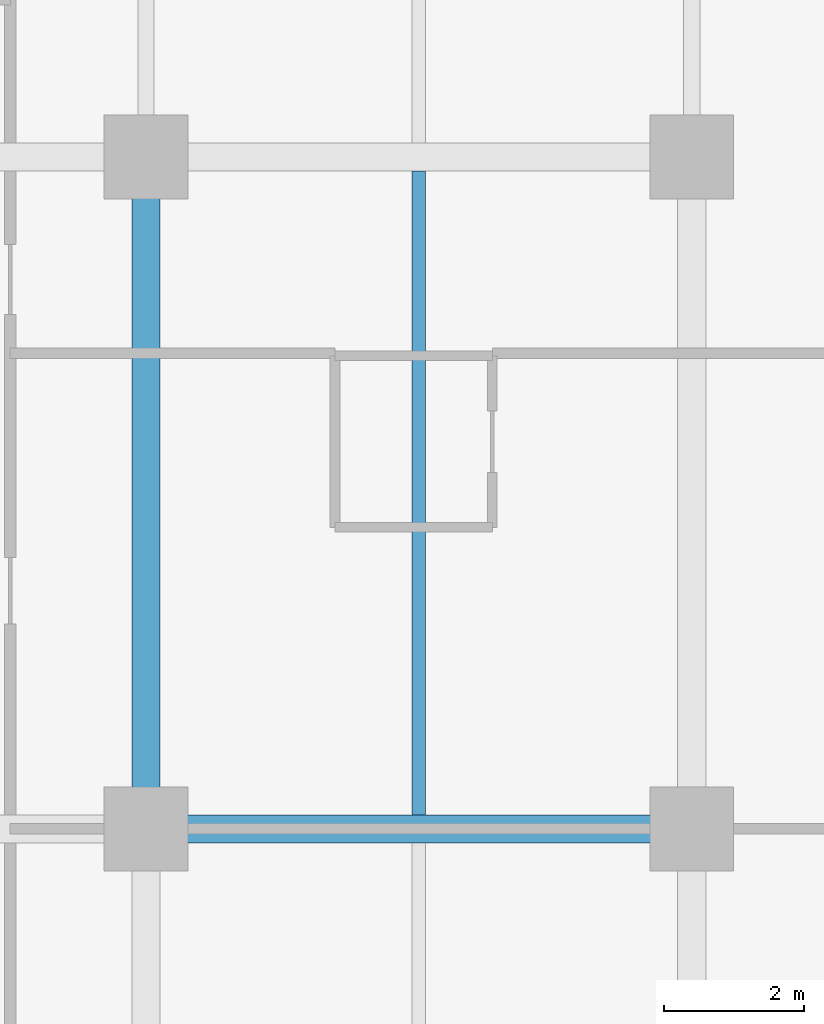
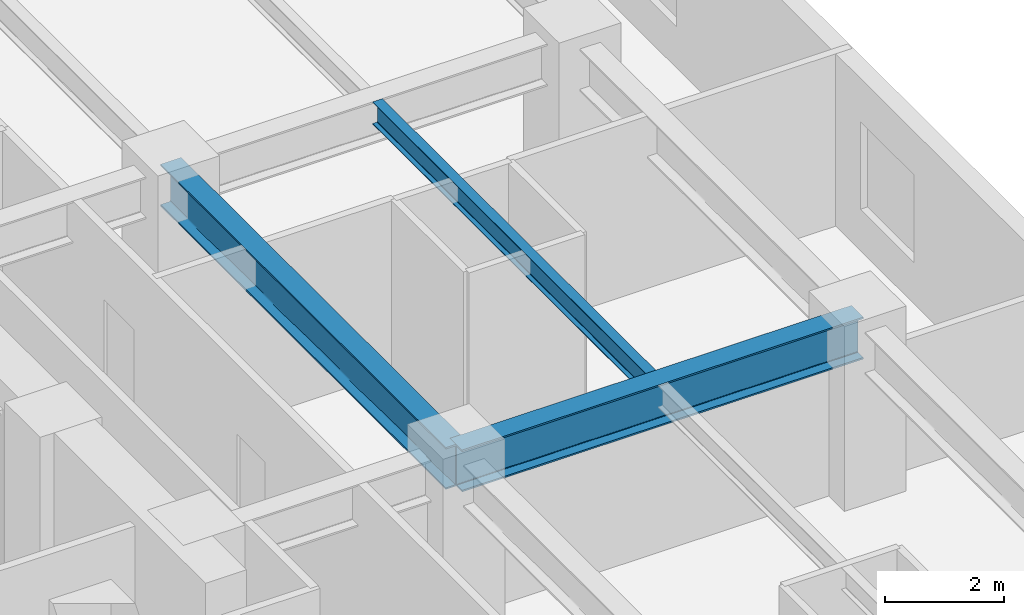
# One storey, part 2 of 12: 3 beams.
"""IFC4 building model written with IfcOpenShell, lengths in metres."""

from ifc_helpers import new_model, si_unit, direction, frame, origin, origin_2d, place, context, subcontext, project, spatial, i_section, extrude, material, material_profile, profile_set, type_object, element, save


model = new_model("IFC4")

# Units and contexts
model_context = context("Model", 3, precision=1e-05, world=origin(), true_north=direction((0.0, 1.0)))
body_context = subcontext(model_context, "Body", "Model", "MODEL_VIEW")
ifc_project = project(units=[si_unit("LENGTHUNIT", "METRE"), si_unit("AREAUNIT", "SQUARE_METRE"), si_unit("VOLUMEUNIT", "CUBIC_METRE"), si_unit("PLANEANGLEUNIT", "RADIAN"), si_unit("MASSUNIT", "GRAM", prefix="KILO")], contexts=[model_context])

# Site, building, storey
site_placement = place(None, origin())
site = spatial("IfcSite", under=ifc_project, at=site_placement, CompositionType="ELEMENT")
building_placement = place(site_placement, origin())
building = spatial("IfcBuilding", under=site, at=building_placement, Name="Kestravale Grand Hotel", CompositionType="ELEMENT")
storey_placement = place(building_placement, frame((0.0, 0.0, 118.39990234375)))
storey = spatial("IfcBuildingStorey", under=building, at=storey_placement, Name="L29", CompositionType="ELEMENT", Elevation=118.39990234375)

# Beams
ifc_material_1 = material(Name="Steel ASTM A992 Grade 50", Category="steel")
ifc_material_profile_1 = material_profile(ifc_material_1, i_section(OverallWidth=0.19091796875, OverallDepth=0.45703125, WebThickness=0.009033203125, FlangeThickness=0.014404296875, FilletRadius=0.015380859375, at=origin_2d()))
ifc_profile_set_1 = profile_set([ifc_material_profile_1], Name="Steel ASTM A992 Grade 50")
beam_type_1 = type_object("IfcBeamType", Name="B-FLR-JST18", PredefinedType="JOIST", material=ifc_profile_set_1)
beam_1_placement = place(storey_placement, frame((66.300048828125, 29.00048828125, 3.3115234375), z_axis=(0.0, 1.0, 0.0), x_axis=(-1.0, 0.0, 0.0)))
element("IfcBeam", 1, at=beam_1_placement, inside=storey, type_object=beam_type_1, Name="L29 floor joist 10-11/E-F #1", PredefinedType="JOIST", context=body_context, shape_type="SweptSolid", body=[
    extrude(i_section(OverallWidth=0.19091796875, OverallDepth=0.45703125, WebThickness=0.009033203125, FlangeThickness=0.014404296875, FilletRadius=0.015380859375, at=origin_2d()), origin(), (0.0, 0.0, 1.0), 9.198974609375),
])
ifc_material_2 = material(Name="Steel ASTM A992 Grade 50", Category="steel")
ifc_material_profile_2 = material_profile(ifc_material_2, i_section(OverallWidth=0.40087890625, OverallDepth=0.861083984375, WebThickness=0.019775390625, FlangeThickness=0.032470703125, FilletRadius=0.0234375, at=origin_2d()))
ifc_profile_set_2 = profile_set([ifc_material_profile_2], Name="Steel ASTM A992 Grade 50")
beam_type_2 = type_object("IfcBeamType", Name="B-GRD-W33", PredefinedType="BEAM", material=ifc_profile_set_2)
beam_2_placement = place(storey_placement, frame((62.39990234375, 28.800048828125, 3.109619140625), z_axis=(1.0, 0.0, 0.0), x_axis=(0.0, 1.0, 0.0)))
element("IfcBeam", 2, at=beam_2_placement, inside=storey, type_object=beam_type_2, Name="L29 girder E:10-11", PredefinedType="BEAM", context=body_context, shape_type="SweptSolid", body=[
    extrude(i_section(OverallWidth=0.40087890625, OverallDepth=0.861083984375, WebThickness=0.019775390625, FlangeThickness=0.032470703125, FilletRadius=0.0234375, at=origin_2d()), origin(), (0.0, 0.0, 1.0), 7.800048828125),
])
beam_3_placement = place(storey_placement, frame((62.39990234375, 28.800048828125, 3.109619140625), z_axis=(0.0, 1.0, 0.0), x_axis=(-1.0, 0.0, 0.0)))
element("IfcBeam", 3, at=beam_3_placement, inside=storey, type_object=beam_type_2, Name="L29 girder 10:E-F", PredefinedType="BEAM", context=body_context, shape_type="SweptSolid", body=[
    extrude(i_section(OverallWidth=0.40087890625, OverallDepth=0.861083984375, WebThickness=0.019775390625, FlangeThickness=0.032470703125, FilletRadius=0.0234375, at=origin_2d()), origin(), (0.0, 0.0, 1.0), 9.599853515625),
])

save(model, "model.ifc")
